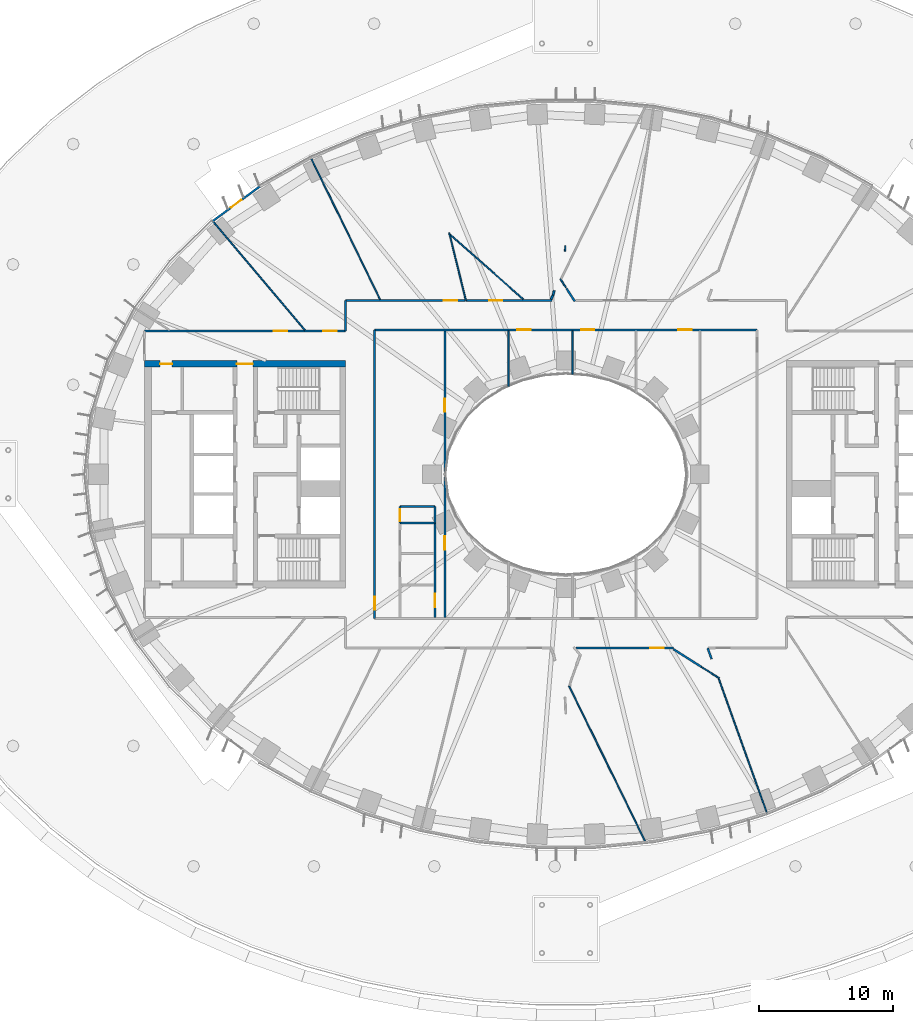
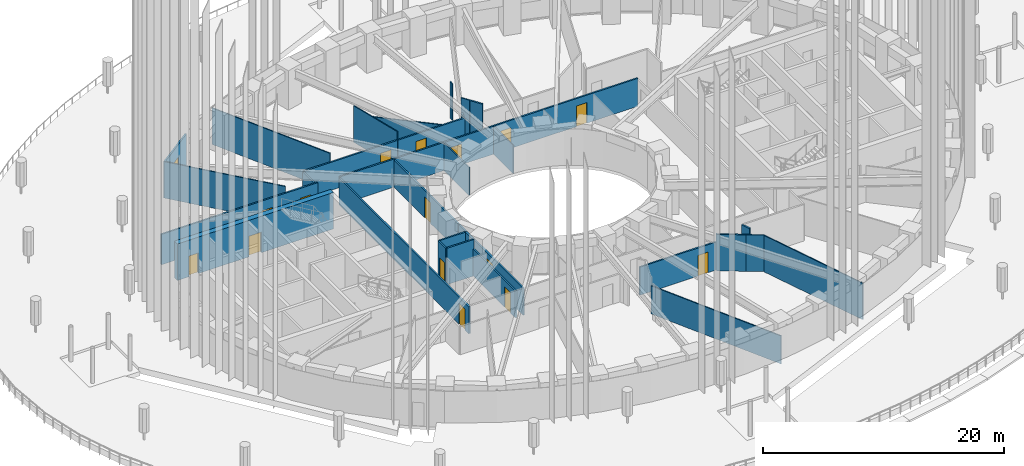
# One storey, part 13 of 30: 32 walls, 16 doors, 16 openings.
"""IFC4 building model written with IfcOpenShell, lengths in metres."""

from ifc_helpers import new_model, si_unit, direction, frame, frame_2d, origin, place, context, subcontext, project, spatial, rectangle, extrude, material, layer, layer_set, type_object, element, fill, save


model = new_model("IFC4")

# Units and contexts
model_context = context("Model", 3, precision=1e-05, world=origin(), true_north=direction((0.0, 1.0)))
body_context = subcontext(model_context, "Body", "Model", "MODEL_VIEW")
ifc_project = project(units=[si_unit("LENGTHUNIT", "METRE"), si_unit("AREAUNIT", "SQUARE_METRE"), si_unit("VOLUMEUNIT", "CUBIC_METRE"), si_unit("PLANEANGLEUNIT", "RADIAN"), si_unit("MASSUNIT", "GRAM", prefix="KILO")], contexts=[model_context])

# Site, building, storey
site_placement = place(None, origin())
site = spatial("IfcSite", under=ifc_project, at=site_placement, CompositionType="ELEMENT")
building_placement = place(site_placement, origin())
building = spatial("IfcBuilding", under=site, at=building_placement, Name="Noorbagh Ring Tower", CompositionType="ELEMENT")
storey_placement = place(building_placement, frame((0.0, 0.0, 30.5)))
storey = spatial("IfcBuildingStorey", under=building, at=storey_placement, Name="L05", CompositionType="ELEMENT", Elevation=30.5)

# Wall, opening, door
ifc_material_1 = material(Name="Gypsum board on steel studs", Category="steel")
ifc_layer_1 = layer(ifc_material_1, 0.14990234375)
ifc_layer_set_1 = layer_set([ifc_layer_1], Name="Gypsum board on steel studs")
wall_type_1 = type_object("IfcWallType", Name="COMPARTMENT PARTITION 150 EI 60", PredefinedType="PARTITIONING", material=ifc_layer_set_1)
wall_1_placement = place(storey_placement, frame((-12.39990234375, -3.659912109375, 0.0), z_axis=(0.0, 0.0, 1.0), x_axis=(0.0, 1.0, 0.0)))
wall_1 = element("IfcWall", 1, at=wall_1_placement, inside=storey, type_object=wall_type_1, Name="L05/wall/P22", PredefinedType="PARTITIONING", context=body_context, shape_type="SweptSolid", body=[
    extrude(rectangle(XDim=1.260009765625, YDim=0.14990234375, at=frame_2d((0.6298828125, 0.0))), origin(), (0.0, 0.0, 1.0), 3.699951171875),
])
opening_1_placement = place(wall_1_placement, frame((0.14990234375, 0.0, 0.0)))
opening_1 = element("IfcOpeningElement", 2, at=opening_1_placement, cuts=wall_1, Name="Opening D4", PredefinedType="OPENING", context=body_context, shape_type="SweptSolid", body=[
    extrude(rectangle(XDim=0.89990234375, YDim=2.10009765625, at=frame_2d((0.449951171875, 1.050048828125))), frame((0.0, 0.0849609375, 0.0), z_axis=(0.0, -1.0, 0.0), x_axis=(1.0, 0.0, 0.0)), (0.0, 0.0, 1.0), 0.169921875),
])
ifc_material_2 = material(Name="Timber, painted", Category="wood")
door_type_1 = type_object("IfcDoorType", Name="DOOR 900 X 2100 FD60", OperationType="SINGLE_SWING_LEFT", PredefinedType="DOOR", material=ifc_material_2)
door_1_placement = place(opening_1_placement, origin())
door_1 = element("IfcDoor", 3, at=door_1_placement, inside=storey, type_object=door_type_1, Name="L05-D05", OperationType="SINGLE_SWING_LEFT", OverallHeight=2.10009765625, OverallWidth=0.89990234375, PredefinedType="DOOR", context=body_context, shape_type="SweptSolid", body=[
    extrude(rectangle(XDim=0.89990234375, YDim=2.10009765625, at=frame_2d((0.449951171875, 1.050048828125))), frame((0.0, 0.02490234375, 0.0), z_axis=(0.0, -1.0, 0.0), x_axis=(1.0, 0.0, 0.0)), (0.0, 0.0, 1.0), 0.050048828125),
])
fill(opening_1, door_1)

# Walls
wall_2_placement = place(storey_placement, frame((-12.39990234375, -3.659912109375, 0.0), z_axis=(0.0, 0.0, 1.0), x_axis=(1.0, 0.0, 0.0)))
element("IfcWall", 4, at=wall_2_placement, inside=storey, type_object=wall_type_1, Name="L05/wall/P23", PredefinedType="PARTITIONING", context=body_context, shape_type="SweptSolid", body=[
    extrude(rectangle(XDim=2.599853515625, YDim=0.14990234375, at=frame_2d((1.2998046875, 0.0))), origin(), (0.0, 0.0, 1.0), 3.699951171875),
])
wall_3_placement = place(storey_placement, frame((-12.39990234375, -2.39990234375, 0.0), z_axis=(0.0, 0.0, 1.0), x_axis=(1.0, 0.0, 0.0)))
element("IfcWall", 5, at=wall_3_placement, inside=storey, type_object=wall_type_1, Name="L05/wall/P24", PredefinedType="PARTITIONING", context=body_context, shape_type="SweptSolid", body=[
    extrude(rectangle(XDim=2.595947265625, YDim=0.14990234375, at=frame_2d((1.2978515625, 0.0))), origin(), (0.0, 0.0, 1.0), 3.699951171875),
])
wall_4_placement = place(storey_placement, frame((-9.800048828125, -3.659912109375, 0.0), z_axis=(0.0, 0.0, 1.0), x_axis=(0.0, 1.0, 0.0)))
element("IfcWall", 6, at=wall_4_placement, inside=storey, type_object=wall_type_1, Name="L05/wall/P27", PredefinedType="PARTITIONING", context=body_context, shape_type="SweptSolid", body=[
    extrude(rectangle(XDim=1.255859375, YDim=0.14990234375, at=frame_2d((0.6279296875, 0.0))), origin(), (0.0, 0.0, 1.0), 3.699951171875),
])

# Wall, openings, doors
ifc_material_3 = material(Name="Concrete C70/85", Category="concrete")
ifc_layer_2 = layer(ifc_material_3, 0.5)
ifc_layer_set_2 = layer_set([ifc_layer_2], Name="Concrete C70/85")
wall_type_2 = type_object("IfcWallType", Name="CORE-WALL-500-C70-85-EI240", PredefinedType="SHEAR", material=ifc_layer_set_2)
wall_5_placement = place(storey_placement, frame((-16.5, 8.25, 0.0), z_axis=(0.0, 0.0, 1.0), x_axis=(-1.0, 0.0, 0.0)))
wall_5 = element("IfcWall", 7, at=wall_5_placement, inside=storey, type_object=wall_type_2, Name="Core wall W", PredefinedType="SHEAR", context=body_context, shape_type="SweptSolid", body=[
    extrude(rectangle(XDim=15.0, YDim=0.5, at=frame_2d((7.5, 0.0))), origin(), (0.0, 0.0, 1.0), 3.699951171875),
])
opening_2_placement = place(wall_5_placement, frame((6.89990234375, 0.0, 0.0)))
opening_2 = element("IfcOpeningElement", 8, at=opening_2_placement, cuts=wall_5, Name="Opening L05-CW09", PredefinedType="OPENING", context=body_context, shape_type="SweptSolid", body=[
    extrude(rectangle(XDim=1.199951171875, YDim=2.10009765625, at=frame_2d((0.60009765625, 1.050048828125))), frame((0.0, 0.260009765625, 0.0), z_axis=(0.0, -1.0, 0.0), x_axis=(1.0, 0.0, 0.0)), (0.0, 0.0, 1.0), 0.52001953125),
])
opening_3_placement = place(wall_5_placement, frame((12.949951171875, 0.0, 0.0)))
opening_3 = element("IfcOpeningElement", 9, at=opening_3_placement, cuts=wall_5, Name="Opening L05-CW13", PredefinedType="OPENING", context=body_context, shape_type="SweptSolid", body=[
    extrude(rectangle(XDim=0.89990234375, YDim=2.10009765625, at=frame_2d((0.449951171875, 1.050048828125))), frame((0.0, 0.260009765625, 0.0), z_axis=(0.0, -1.0, 0.0), x_axis=(1.0, 0.0, 0.0)), (0.0, 0.0, 1.0), 0.52001953125),
])
ifc_material_4 = material(Name="Steel door leaf", Category="steel")
door_type_2 = type_object("IfcDoorType", Name="CORE-DOOR-DROOM", OperationType="SINGLE_SWING_LEFT", PredefinedType="DOOR", material=ifc_material_4)
door_2_placement = place(opening_3_placement, origin())
door_2 = element("IfcDoor", 10, at=door_2_placement, inside=storey, type_object=door_type_2, Name="Core room door L05-CW13", OperationType="SINGLE_SWING_RIGHT", OverallHeight=2.10009765625, OverallWidth=0.89990234375, PredefinedType="DOOR", context=body_context, shape_type="SweptSolid", body=[
    extrude(rectangle(XDim=0.89990234375, YDim=2.10009765625, at=frame_2d((0.449951171875, 1.050048828125))), frame((0.0, 0.02490234375, 0.0), z_axis=(0.0, -1.0, 0.0), x_axis=(1.0, 0.0, 0.0)), (0.0, 0.0, 1.0), 0.050048828125),
])
fill(opening_3, door_2)
ifc_material_5 = material(Name="Steel door leaf", Category="steel")
door_type_3 = type_object("IfcDoorType", Name="CORE-DOOR-PORT", OperationType="DOUBLE_DOOR_DOUBLE_SWING", PredefinedType="DOOR", material=ifc_material_5)
door_3_placement = place(opening_2_placement, origin())
door_3 = element("IfcDoor", 11, at=door_3_placement, inside=storey, type_object=door_type_3, Name="Core entrance door L05-CW09", OperationType="DOUBLE_DOOR_DOUBLE_SWING", OverallHeight=2.10009765625, OverallWidth=1.199951171875, PredefinedType="DOOR", context=body_context, shape_type="SweptSolid", body=[
    extrude(rectangle(XDim=1.199951171875, YDim=2.10009765625, at=frame_2d((0.60009765625, 1.050048828125))), frame((0.0, 0.02490234375, 0.0), z_axis=(0.0, -1.0, 0.0), x_axis=(1.0, 0.0, 0.0)), (0.0, 0.0, 1.0), 0.050048828125),
])
fill(opening_2, door_3)

ifc_material_6 = material(Name="Gypsum board on steel studs", Category="steel")
ifc_layer_3 = layer(ifc_material_6, 0.14990234375)
ifc_layer_set_3 = layer_set([ifc_layer_3], Name="Gypsum board on steel studs")
wall_type_3 = type_object("IfcWallType", Name="CORRIDOR PARTITION 150 EI 30", PredefinedType="PARTITIONING", material=ifc_layer_set_3)
wall_6_placement = place(storey_placement, frame((-31.5, 10.699951171875, 0.0), z_axis=(0.0, 0.0, 1.0), x_axis=(1.0, 0.0, 0.0)))
wall_6 = element("IfcWall", 12, at=wall_6_placement, inside=storey, type_object=wall_type_3, Name="L05/wall/P07", PredefinedType="PARTITIONING", context=body_context, shape_type="SweptSolid", body=[
    extrude(rectangle(XDim=15.0, YDim=0.14990234375, at=frame_2d((7.5, 0.0))), origin(), (0.0, 0.0, 1.0), 3.10009765625),
])
opening_4_placement = place(wall_6_placement, frame((9.655029296875, 0.0, 0.0)))
opening_4 = element("IfcOpeningElement", 13, at=opening_4_placement, cuts=wall_6, Name="Opening D1", PredefinedType="OPENING", context=body_context, shape_type="SweptSolid", body=[
    extrude(rectangle(XDim=1.0, YDim=2.10009765625, at=frame_2d((0.5, 1.050048828125))), frame((0.0, 0.0849609375, 0.0), z_axis=(0.0, -1.0, 0.0), x_axis=(1.0, 0.0, 0.0)), (0.0, 0.0, 1.0), 0.169921875),
])
opening_5_placement = place(wall_6_placement, frame((13.35009765625, 0.0, 0.0)))
opening_5 = element("IfcOpeningElement", 14, at=opening_5_placement, cuts=wall_6, Name="Opening D1", PredefinedType="OPENING", context=body_context, shape_type="SweptSolid", body=[
    extrude(rectangle(XDim=1.0, YDim=2.10009765625, at=frame_2d((0.5, 1.050048828125))), frame((0.0, 0.0849609375, 0.0), z_axis=(0.0, -1.0, 0.0), x_axis=(1.0, 0.0, 0.0)), (0.0, 0.0, 1.0), 0.169921875),
])
ifc_material_7 = material(Name="Timber, painted", Category="wood")
door_type_4 = type_object("IfcDoorType", Name="DOOR 1000 X 2100 FD30", OperationType="SINGLE_SWING_LEFT", PredefinedType="DOOR", material=ifc_material_7)
door_4_placement = place(opening_4_placement, origin())
door_4 = element("IfcDoor", 15, at=door_4_placement, inside=storey, type_object=door_type_4, Name="L05-D09", OperationType="SINGLE_SWING_LEFT", OverallHeight=2.10009765625, OverallWidth=1.0, PredefinedType="DOOR", context=body_context, shape_type="SweptSolid", body=[
    extrude(rectangle(XDim=1.0, YDim=2.10009765625, at=frame_2d((0.5, 1.050048828125))), frame((0.0, 0.02490234375, 0.0), z_axis=(0.0, -1.0, 0.0), x_axis=(1.0, 0.0, 0.0)), (0.0, 0.0, 1.0), 0.050048828125),
])
fill(opening_4, door_4)
door_5_placement = place(opening_5_placement, origin())
door_5 = element("IfcDoor", 16, at=door_5_placement, inside=storey, type_object=door_type_4, Name="L05-D11", OperationType="SINGLE_SWING_LEFT", OverallHeight=2.10009765625, OverallWidth=1.0, PredefinedType="DOOR", context=body_context, shape_type="SweptSolid", body=[
    extrude(rectangle(XDim=1.0, YDim=2.10009765625, at=frame_2d((0.5, 1.050048828125))), frame((0.0, 0.02490234375, 0.0), z_axis=(0.0, -1.0, 0.0), x_axis=(1.0, 0.0, 0.0)), (0.0, 0.0, 1.0), 0.050048828125),
])
fill(opening_5, door_5)

# Wall
wall_7_placement = place(storey_placement, frame((-16.5, 10.699951171875, 0.0), z_axis=(0.0, 0.0, 1.0), x_axis=(0.0, 1.0, 0.0)))
element("IfcWall", 17, at=wall_7_placement, inside=storey, type_object=wall_type_3, Name="L05/wall/P14", PredefinedType="PARTITIONING", context=body_context, shape_type="SweptSolid", body=[
    extrude(rectangle(XDim=2.300048828125, YDim=0.14990234375, at=frame_2d((1.14990234375, 0.0))), origin(), (0.0, 0.0, 1.0), 2.75),
])

# Wall, opening, door
wall_8_placement = place(storey_placement, frame((-16.5, 13.0, 0.0), z_axis=(0.0, 0.0, 1.0), x_axis=(1.0, 0.0, 0.0)))
wall_8 = element("IfcWall", 18, at=wall_8_placement, inside=storey, type_object=wall_type_3, Name="L05/wall/P15", PredefinedType="PARTITIONING", context=body_context, shape_type="SweptSolid", body=[
    extrude(rectangle(XDim=9.0009765625, YDim=0.14990234375, at=frame_2d((4.50048828125, 0.0))), origin(), (0.0, 0.0, 1.0), 2.85009765625),
])
opening_6_placement = place(wall_8_placement, frame((7.366943359375, 0.0, 0.0)))
opening_6 = element("IfcOpeningElement", 19, at=opening_6_placement, cuts=wall_8, Name="Opening D1", PredefinedType="OPENING", context=body_context, shape_type="SweptSolid", body=[
    extrude(rectangle(XDim=1.0, YDim=2.10009765625, at=frame_2d((0.5, 1.050048828125))), frame((0.0, 0.0849609375, 0.0), z_axis=(0.0, -1.0, 0.0), x_axis=(1.0, 0.0, 0.0)), (0.0, 0.0, 1.0), 0.169921875),
])
door_6_placement = place(opening_6_placement, origin())
door_6 = element("IfcDoor", 20, at=door_6_placement, inside=storey, type_object=door_type_4, Name="L05-D13", OperationType="SINGLE_SWING_LEFT", OverallHeight=2.10009765625, OverallWidth=1.0, PredefinedType="DOOR", context=body_context, shape_type="SweptSolid", body=[
    extrude(rectangle(XDim=1.0, YDim=2.10009765625, at=frame_2d((0.5, 1.050048828125))), frame((0.0, 0.02490234375, 0.0), z_axis=(0.0, -1.0, 0.0), x_axis=(1.0, 0.0, 0.0)), (0.0, 0.0, 1.0), 0.050048828125),
])
fill(opening_6, door_6)

wall_9_placement = place(storey_placement, frame((-14.300048828125, -10.800048828125, 0.0), z_axis=(0.0, 0.0, 1.0), x_axis=(0.0, 1.0, 0.0)))
wall_9 = element("IfcWall", 21, at=wall_9_placement, inside=storey, type_object=wall_type_3, Name="L05/wall/P16", PredefinedType="PARTITIONING", context=body_context, shape_type="SweptSolid", body=[
    extrude(rectangle(XDim=21.60009765625, YDim=0.14990234375, at=frame_2d((10.800048828125, 0.0))), origin(), (0.0, 0.0, 1.0), 2.75),
])
opening_7_placement = place(wall_9_placement, frame((0.64990234375, 0.0, 0.0)))
opening_7 = element("IfcOpeningElement", 22, at=opening_7_placement, cuts=wall_9, Name="Opening D1", PredefinedType="OPENING", context=body_context, shape_type="SweptSolid", body=[
    extrude(rectangle(XDim=1.0, YDim=2.10009765625, at=frame_2d((0.5, 1.050048828125))), frame((0.0, 0.0849609375, 0.0), z_axis=(0.0, -1.0, 0.0), x_axis=(1.0, 0.0, 0.0)), (0.0, 0.0, 1.0), 0.169921875),
])
door_7_placement = place(opening_7_placement, origin())
door_7 = element("IfcDoor", 23, at=door_7_placement, inside=storey, type_object=door_type_4, Name="L05-D01", OperationType="SINGLE_SWING_LEFT", OverallHeight=2.10009765625, OverallWidth=1.0, PredefinedType="DOOR", context=body_context, shape_type="SweptSolid", body=[
    extrude(rectangle(XDim=1.0, YDim=2.10009765625, at=frame_2d((0.5, 1.050048828125))), frame((0.0, 0.02490234375, 0.0), z_axis=(0.0, -1.0, 0.0), x_axis=(1.0, 0.0, 0.0)), (0.0, 0.0, 1.0), 0.050048828125),
])
fill(opening_7, door_7)

# Wall, openings, doors
wall_10_placement = place(storey_placement, frame((-14.300048828125, 10.800048828125, 0.0), z_axis=(0.0, 0.0, 1.0), x_axis=(1.0, 0.0, 0.0)))
wall_10 = element("IfcWall", 24, at=wall_10_placement, inside=storey, type_object=wall_type_3, Name="L05/wall/P18", PredefinedType="PARTITIONING", context=body_context, shape_type="SweptSolid", body=[
    extrude(rectangle(XDim=28.60009765625, YDim=0.14990234375, at=frame_2d((14.300048828125, 0.0))), origin(), (0.0, 0.0, 1.0), 2.85009765625),
])
opening_8_placement = place(wall_10_placement, frame((10.659912109375, 0.0, 0.0)))
opening_8 = element("IfcOpeningElement", 25, at=opening_8_placement, cuts=wall_10, Name="Opening D1", PredefinedType="OPENING", context=body_context, shape_type="SweptSolid", body=[
    extrude(rectangle(XDim=1.0, YDim=2.10009765625, at=frame_2d((0.5, 1.050048828125))), frame((0.0, 0.0849609375, 0.0), z_axis=(0.0, -1.0, 0.0), x_axis=(1.0, 0.0, 0.0)), (0.0, 0.0, 1.0), 0.169921875),
])
opening_9_placement = place(wall_10_placement, frame((15.427001953125, 0.0, 0.0)))
opening_9 = element("IfcOpeningElement", 26, at=opening_9_placement, cuts=wall_10, Name="Opening D1", PredefinedType="OPENING", context=body_context, shape_type="SweptSolid", body=[
    extrude(rectangle(XDim=1.0, YDim=2.10009765625, at=frame_2d((0.5, 1.050048828125))), frame((0.0, 0.0849609375, 0.0), z_axis=(0.0, -1.0, 0.0), x_axis=(1.0, 0.0, 0.0)), (0.0, 0.0, 1.0), 0.169921875),
])
opening_10_placement = place(wall_10_placement, frame((22.693115234375, 0.0, 0.0)))
opening_10 = element("IfcOpeningElement", 27, at=opening_10_placement, cuts=wall_10, Name="Opening D1", PredefinedType="OPENING", context=body_context, shape_type="SweptSolid", body=[
    extrude(rectangle(XDim=1.0, YDim=2.10009765625, at=frame_2d((0.5, 1.050048828125))), frame((0.0, 0.0849609375, 0.0), z_axis=(0.0, -1.0, 0.0), x_axis=(1.0, 0.0, 0.0)), (0.0, 0.0, 1.0), 0.169921875),
])
door_8_placement = place(opening_8_placement, origin())
door_8 = element("IfcDoor", 28, at=door_8_placement, inside=storey, type_object=door_type_4, Name="L05-D27", OperationType="SINGLE_SWING_LEFT", OverallHeight=2.10009765625, OverallWidth=1.0, PredefinedType="DOOR", context=body_context, shape_type="SweptSolid", body=[
    extrude(rectangle(XDim=1.0, YDim=2.10009765625, at=frame_2d((0.5, 1.050048828125))), frame((0.0, 0.02490234375, 0.0), z_axis=(0.0, -1.0, 0.0), x_axis=(1.0, 0.0, 0.0)), (0.0, 0.0, 1.0), 0.050048828125),
])
fill(opening_8, door_8)
door_9_placement = place(opening_9_placement, origin())
door_9 = element("IfcDoor", 29, at=door_9_placement, inside=storey, type_object=door_type_4, Name="L05-D29", OperationType="SINGLE_SWING_LEFT", OverallHeight=2.10009765625, OverallWidth=1.0, PredefinedType="DOOR", context=body_context, shape_type="SweptSolid", body=[
    extrude(rectangle(XDim=1.0, YDim=2.10009765625, at=frame_2d((0.5, 1.050048828125))), frame((0.0, 0.02490234375, 0.0), z_axis=(0.0, -1.0, 0.0), x_axis=(1.0, 0.0, 0.0)), (0.0, 0.0, 1.0), 0.050048828125),
])
fill(opening_9, door_9)
door_10_placement = place(opening_10_placement, origin())
door_10 = element("IfcDoor", 30, at=door_10_placement, inside=storey, type_object=door_type_4, Name="L05-D30", OperationType="SINGLE_SWING_RIGHT", OverallHeight=2.10009765625, OverallWidth=1.0, PredefinedType="DOOR", context=body_context, shape_type="SweptSolid", body=[
    extrude(rectangle(XDim=1.0, YDim=2.10009765625, at=frame_2d((0.5, 1.050048828125))), frame((0.0, 0.02490234375, 0.0), z_axis=(0.0, -1.0, 0.0), x_axis=(1.0, 0.0, 0.0)), (0.0, 0.0, 1.0), 0.050048828125),
])
fill(opening_10, door_10)

# Wall, opening, door
wall_11_placement = place(storey_placement, frame((-9.800048828125, -10.72509765625, 0.0), z_axis=(0.0, 0.0, 1.0), x_axis=(0.0, 1.0, 0.0)))
wall_11 = element("IfcWall", 31, at=wall_11_placement, inside=storey, type_object=wall_type_3, Name="L05/wall/P26", PredefinedType="PARTITIONING", context=body_context, shape_type="SweptSolid", body=[
    extrude(rectangle(XDim=7.065185546875, YDim=0.14990234375, at=frame_2d((3.53271484375, 0.0))), origin(), (0.0, 0.0, 1.0), 2.75),
])
opening_11_placement = place(wall_11_placement, frame((0.794921875, 0.0, 0.0)))
opening_11 = element("IfcOpeningElement", 32, at=opening_11_placement, cuts=wall_11, Name="Opening D3", PredefinedType="OPENING", context=body_context, shape_type="SweptSolid", body=[
    extrude(rectangle(XDim=1.0, YDim=2.10009765625, at=frame_2d((0.5, 1.050048828125))), frame((0.0, 0.0849609375, 0.0), z_axis=(0.0, -1.0, 0.0), x_axis=(1.0, 0.0, 0.0)), (0.0, 0.0, 1.0), 0.169921875),
])
ifc_material_8 = material(Name="Timber, painted", Category="wood")
door_type_5 = type_object("IfcDoorType", Name="DOOR 1000 X 2100 WC", OperationType="SINGLE_SWING_LEFT", PredefinedType="DOOR", material=ifc_material_8)
door_11_placement = place(opening_11_placement, origin())
door_11 = element("IfcDoor", 33, at=door_11_placement, inside=storey, type_object=door_type_5, Name="L05-D02", OperationType="SINGLE_SWING_RIGHT", OverallHeight=2.10009765625, OverallWidth=1.0, PredefinedType="DOOR", context=body_context, shape_type="SweptSolid", body=[
    extrude(rectangle(XDim=1.0, YDim=2.10009765625, at=frame_2d((0.5, 1.050048828125))), frame((0.0, 0.02490234375, 0.0), z_axis=(0.0, -1.0, 0.0), x_axis=(1.0, 0.0, 0.0)), (0.0, 0.0, 1.0), 0.050048828125),
])
fill(opening_11, door_11)

wall_12_placement = place(storey_placement, frame((-9.056884765625, -10.72509765625, 0.0), z_axis=(0.0, 0.0, 1.0), x_axis=(0.0, 1.0, 0.0)))
wall_12 = element("IfcWall", 34, at=wall_12_placement, inside=storey, type_object=wall_type_3, Name="L05/wall/P28", PredefinedType="PARTITIONING", context=body_context, shape_type="SweptSolid", body=[
    extrude(rectangle(XDim=10.68017578125, YDim=0.14990234375, at=frame_2d((5.340087890625, 0.0))), origin(), (0.0, 0.0, 1.0), 2.75),
])
opening_12_placement = place(wall_12_placement, frame((5.074951171875, 0.0, 0.0)))
opening_12 = element("IfcOpeningElement", 35, at=opening_12_placement, cuts=wall_12, Name="Opening D1", PredefinedType="OPENING", context=body_context, shape_type="SweptSolid", body=[
    extrude(rectangle(XDim=1.0, YDim=2.10009765625, at=frame_2d((0.5, 1.050048828125))), frame((0.0, 0.0849609375, 0.0), z_axis=(0.0, -1.0, 0.0), x_axis=(1.0, 0.0, 0.0)), (0.0, 0.0, 1.0), 0.169921875),
])
door_12_placement = place(opening_12_placement, origin())
door_12 = element("IfcDoor", 36, at=door_12_placement, inside=storey, type_object=door_type_4, Name="L05-D24", OperationType="SINGLE_SWING_RIGHT", OverallHeight=2.10009765625, OverallWidth=1.0, PredefinedType="DOOR", context=body_context, shape_type="SweptSolid", body=[
    extrude(rectangle(XDim=1.0, YDim=2.10009765625, at=frame_2d((0.5, 1.050048828125))), frame((0.0, 0.02490234375, 0.0), z_axis=(0.0, -1.0, 0.0), x_axis=(1.0, 0.0, 0.0)), (0.0, 0.0, 1.0), 0.050048828125),
])
fill(opening_12, door_12)

wall_13_placement = place(storey_placement, frame((-9.056884765625, 0.044921875, 0.0), z_axis=(0.0, 0.0, 1.0), x_axis=(0.0, 1.0, 0.0)))
wall_13 = element("IfcWall", 37, at=wall_13_placement, inside=storey, type_object=wall_type_3, Name="L05/wall/P29", PredefinedType="PARTITIONING", context=body_context, shape_type="SweptSolid", body=[
    extrude(rectangle(XDim=10.68017578125, YDim=0.14990234375, at=frame_2d((5.340087890625, 0.0))), origin(), (0.0, 0.0, 1.0), 2.75),
])
opening_13_placement = place(wall_13_placement, frame((4.610107421875, 0.0, 0.0)))
opening_13 = element("IfcOpeningElement", 38, at=opening_13_placement, cuts=wall_13, Name="Opening D1", PredefinedType="OPENING", context=body_context, shape_type="SweptSolid", body=[
    extrude(rectangle(XDim=1.0, YDim=2.10009765625, at=frame_2d((0.5, 1.050048828125))), frame((0.0, 0.0849609375, 0.0), z_axis=(0.0, -1.0, 0.0), x_axis=(1.0, 0.0, 0.0)), (0.0, 0.0, 1.0), 0.169921875),
])
door_13_placement = place(opening_13_placement, origin())
door_13 = element("IfcDoor", 39, at=door_13_placement, inside=storey, type_object=door_type_4, Name="L05-D25", OperationType="SINGLE_SWING_LEFT", OverallHeight=2.10009765625, OverallWidth=1.0, PredefinedType="DOOR", context=body_context, shape_type="SweptSolid", body=[
    extrude(rectangle(XDim=1.0, YDim=2.10009765625, at=frame_2d((0.5, 1.050048828125))), frame((0.0, 0.02490234375, 0.0), z_axis=(0.0, -1.0, 0.0), x_axis=(1.0, 0.0, 0.0)), (0.0, 0.0, 1.0), 0.050048828125),
])
fill(opening_13, door_13)

wall_14_placement = place(storey_placement, frame((-7.48291015625, 13.0, 0.0), z_axis=(0.0, 0.0, 1.0), x_axis=(1.0, 0.0, 0.0)))
wall_14 = element("IfcWall", 40, at=wall_14_placement, inside=storey, type_object=wall_type_3, Name="L05/wall/P33", PredefinedType="PARTITIONING", context=body_context, shape_type="SweptSolid", body=[
    extrude(rectangle(XDim=6.421875, YDim=0.14990234375, at=frame_2d((3.2109375, 0.0))), origin(), (0.0, 0.0, 1.0), 2.85009765625),
])
opening_14_placement = place(wall_14_placement, frame((1.73388671875, 0.0, 0.0)))
opening_14 = element("IfcOpeningElement", 41, at=opening_14_placement, cuts=wall_14, Name="Opening D1", PredefinedType="OPENING", context=body_context, shape_type="SweptSolid", body=[
    extrude(rectangle(XDim=1.0, YDim=2.10009765625, at=frame_2d((0.5, 1.050048828125))), frame((0.0, 0.0849609375, 0.0), z_axis=(0.0, -1.0, 0.0), x_axis=(1.0, 0.0, 0.0)), (0.0, 0.0, 1.0), 0.169921875),
])
door_14_placement = place(opening_14_placement, origin())
door_14 = element("IfcDoor", 42, at=door_14_placement, inside=storey, type_object=door_type_4, Name="L05-D15", OperationType="SINGLE_SWING_LEFT", OverallHeight=2.10009765625, OverallWidth=1.0, PredefinedType="DOOR", context=body_context, shape_type="SweptSolid", body=[
    extrude(rectangle(XDim=1.0, YDim=2.10009765625, at=frame_2d((0.5, 1.050048828125))), frame((0.0, 0.02490234375, 0.0), z_axis=(0.0, -1.0, 0.0), x_axis=(1.0, 0.0, 0.0)), (0.0, 0.0, 1.0), 0.050048828125),
])
fill(opening_14, door_14)

# Walls
wall_15_placement = place(storey_placement, frame((-1.111083984375, 13.0791015625, 0.0), z_axis=(0.0, 0.0, 1.0), x_axis=(0.440240923942, 0.897879685084, 0.0)))
element("IfcWall", 43, at=wall_15_placement, inside=storey, type_object=wall_type_3, Name="L05/wall/P37", PredefinedType="PARTITIONING", context=body_context, shape_type="SweptSolid", body=[
    extrude(rectangle(XDim=0.32275390625, YDim=0.14990234375, at=frame_2d((0.161376953125, 0.0))), origin(), (0.0, 0.0, 1.0), 2.85009765625),
])
wall_16_placement = place(storey_placement, frame((-0.965087890625, 13.385986328125, 0.0), z_axis=(0.0, 0.0, 1.0), x_axis=(0.239099704585, 0.970995021237, 0.0)))
element("IfcWall", 44, at=wall_16_placement, inside=storey, type_object=wall_type_3, Name="L05/wall/P39", PredefinedType="PARTITIONING", context=body_context, shape_type="SweptSolid", body=[
    extrude(rectangle(XDim=0.351318359375, YDim=0.14990234375, at=frame_2d((0.17578125, 0.0))), origin(), (0.0, 0.0, 1.0), 2.85009765625),
])
wall_17_placement = place(storey_placement, frame((0.031982421875, 13.89794921875, 0.0), z_axis=(0.0, 0.0, 1.0), x_axis=(0.542280536951, -0.840197488239, 0.0)))
element("IfcWall", 45, at=wall_17_placement, inside=storey, type_object=wall_type_3, Name="L05/wall/P45", PredefinedType="PARTITIONING", context=body_context, shape_type="SweptSolid", body=[
    extrude(rectangle(XDim=1.157958984375, YDim=0.14990234375, at=frame_2d((0.5791015625, 0.0))), origin(), (0.0, 0.0, 1.0), 3.699951171875),
])

# Wall, opening, door
wall_18_placement = place(storey_placement, frame((0.741943359375, -13.0, 0.0), z_axis=(0.0, 0.0, 1.0), x_axis=(1.0, 0.0, 0.0)))
wall_18 = element("IfcWall", 46, at=wall_18_placement, inside=storey, type_object=wall_type_3, Name="L05/wall/P53", PredefinedType="PARTITIONING", context=body_context, shape_type="SweptSolid", body=[
    extrude(rectangle(XDim=7.30517578125, YDim=0.14990234375, at=frame_2d((3.652587890625, 0.0))), origin(), (0.0, 0.0, 1.0), 2.85009765625),
])
opening_15_placement = place(wall_18_placement, frame((5.551025390625, 0.0, 0.0)))
opening_15 = element("IfcOpeningElement", 47, at=opening_15_placement, cuts=wall_18, Name="Opening D1", PredefinedType="OPENING", context=body_context, shape_type="SweptSolid", body=[
    extrude(rectangle(XDim=1.0, YDim=2.10009765625, at=frame_2d((0.5, 1.050048828125))), frame((0.0, 0.0849609375, 0.0), z_axis=(0.0, -1.0, 0.0), x_axis=(1.0, 0.0, 0.0)), (0.0, 0.0, 1.0), 0.169921875),
])
door_15_placement = place(opening_15_placement, origin())
door_15 = element("IfcDoor", 48, at=door_15_placement, inside=storey, type_object=door_type_4, Name="L05-D16", OperationType="SINGLE_SWING_RIGHT", OverallHeight=2.10009765625, OverallWidth=1.0, PredefinedType="DOOR", context=body_context, shape_type="SweptSolid", body=[
    extrude(rectangle(XDim=1.0, YDim=2.10009765625, at=frame_2d((0.5, 1.050048828125))), frame((0.0, 0.02490234375, 0.0), z_axis=(0.0, -1.0, 0.0), x_axis=(1.0, 0.0, 0.0)), (0.0, 0.0, 1.0), 0.050048828125),
])
fill(opening_15, door_15)

# Walls
wall_19_placement = place(storey_placement, frame((8.028076171875, -13.076904296875, 0.0), z_axis=(0.0, 0.0, 1.0), x_axis=(0.844718865656, -0.53521027457, 0.0)))
element("IfcWall", 49, at=wall_19_placement, inside=storey, type_object=wall_type_3, Name="L05/wall/P59", PredefinedType="PARTITIONING", context=body_context, shape_type="SweptSolid", body=[
    extrude(rectangle(XDim=2.49658203125, YDim=0.14990234375, at=frame_2d((1.248291015625, 0.0))), origin(), (0.0, 0.0, 1.0), 3.699951171875),
])
wall_20_placement = place(storey_placement, frame((10.594970703125, -13.0, 0.0), z_axis=(0.0, 0.0, 1.0), x_axis=(0.338659506624, -0.940908995904, 0.0)))
element("IfcWall", 50, at=wall_20_placement, inside=storey, type_object=wall_type_3, Name="L05/wall/P64", PredefinedType="PARTITIONING", context=body_context, shape_type="SweptSolid", body=[
    extrude(rectangle(XDim=0.864990234375, YDim=0.14990234375, at=frame_2d((0.4326171875, 0.0))), origin(), (0.0, 0.0, 1.0), 3.699951171875),
])

# Wall, opening, door
ifc_material_9 = material(Name="Insulated aluminium clad panel", Category="aluminium")
ifc_layer_4 = layer(ifc_material_9, 0.14990234375)
ifc_layer_set_4 = layer_set([ifc_layer_4], Name="Insulated aluminium clad panel")
wall_type_4 = type_object("IfcWallType", Name="ENV-WALL-DOOR", PredefinedType="STANDARD", material=ifc_layer_set_4)
wall_21_placement = place(storey_placement, frame((-22.8720703125, 21.535400390625, 0.0), z_axis=(0.0, 0.0, 1.0), x_axis=(-0.805154287598, -0.593065403782, 0.0)))
wall_21 = element("IfcWall", 51, at=wall_21_placement, inside=storey, type_object=wall_type_4, Name="Terrace door wall chord 18", PredefinedType="STANDARD", context=body_context, shape_type="SweptSolid", body=[
    extrude(rectangle(XDim=4.4248046875, YDim=0.14990234375, at=frame_2d((2.21240234375, 0.0))), origin(), (0.0, 0.0, 1.0), 3.699951171875),
])
opening_16_placement = place(wall_21_placement, frame((1.71240234375, 0.0, 0.0)))
opening_16 = element("IfcOpeningElement", 52, at=opening_16_placement, cuts=wall_21, Name="Opening D-BL", PredefinedType="OPENING", context=body_context, shape_type="SweptSolid", body=[
    extrude(rectangle(XDim=1.0, YDim=2.39990234375, at=frame_2d((0.5, 1.199951171875))), frame((0.0, 0.0849609375, 0.0), z_axis=(0.0, -1.0, 0.0), x_axis=(1.0, 0.0, 0.0)), (0.0, 0.0, 1.0), 0.169921875),
])
ifc_material_10 = material(Name="Aluminium and glass", Category="aluminium")
door_type_6 = type_object("IfcDoorType", Name="ENV-DOOR-BALCONY", OperationType="SINGLE_SWING_LEFT", PredefinedType="DOOR", material=ifc_material_10)
door_16_placement = place(opening_16_placement, origin())
door_16 = element("IfcDoor", 53, at=door_16_placement, inside=storey, type_object=door_type_6, Name="Terrace door chord 18", OperationType="SINGLE_SWING_RIGHT", OverallHeight=2.39990234375, OverallWidth=1.0, PredefinedType="DOOR", context=body_context, shape_type="SweptSolid", body=[
    extrude(rectangle(XDim=1.0, YDim=2.39990234375, at=frame_2d((0.5, 1.199951171875))), frame((0.0, 0.02490234375, 0.0), z_axis=(0.0, -1.0, 0.0), x_axis=(1.0, 0.0, 0.0)), (0.0, 0.0, 1.0), 0.050048828125),
])
fill(opening_16, door_16)

# Walls
ifc_material_11 = material(Name="Gypsum board on steel studs", Category="steel")
ifc_layer_5 = layer(ifc_material_11, 0.10009765625)
ifc_layer_set_5 = layer_set([ifc_layer_5], Name="Gypsum board on steel studs")
wall_type_5 = type_object("IfcWallType", Name="PARTITION 100 GYPSUM", PredefinedType="PARTITIONING", material=ifc_layer_set_5)
wall_22_placement = place(storey_placement, frame((-26.429931640625, 18.945068359375, 0.0), z_axis=(0.0, 0.0, 1.0), x_axis=(0.646400187952, -0.762998556365, 0.0)))
element("IfcWall", 54, at=wall_22_placement, inside=storey, type_object=wall_type_5, Name="L05/wall/P09", PredefinedType="PARTITIONING", context=body_context, shape_type="SweptSolid", body=[
    extrude(rectangle(XDim=10.703857421875, YDim=0.10009765625, at=frame_2d((5.35205078125, 0.0))), origin(), (0.0, 0.0, 1.0), 3.699951171875),
])
wall_23_placement = place(storey_placement, frame((-19.0859375, 23.68505859375, 0.0), z_axis=(0.0, 0.0, 1.0), x_axis=(0.439199750603, -0.898389436197, 0.0)))
element("IfcWall", 55, at=wall_23_placement, inside=storey, type_object=wall_type_5, Name="L05/wall/P11", PredefinedType="PARTITIONING", context=body_context, shape_type="SweptSolid", body=[
    extrude(rectangle(XDim=11.81005859375, YDim=0.10009765625, at=frame_2d((5.905029296875, 0.0))), origin(), (0.0, 0.0, 1.0), 3.699951171875),
])
wall_24_placement = place(storey_placement, frame((-8.72900390625, 18.0458984375, 0.0), z_axis=(0.0, 0.0, 1.0), x_axis=(0.239749411988, -0.970834805439, 0.0)))
element("IfcWall", 56, at=wall_24_placement, inside=storey, type_object=wall_type_5, Name="L05/wall/P30", PredefinedType="PARTITIONING", context=body_context, shape_type="SweptSolid", body=[
    extrude(rectangle(XDim=5.197509765625, YDim=0.10009765625, at=frame_2d((2.5986328125, 0.0))), origin(), (0.0, 0.0, 1.0), 3.699951171875),
])
wall_25_placement = place(storey_placement, frame((-8.64208984375, 17.903076171875, 0.0), z_axis=(0.0, 0.0, 1.0), x_axis=(0.749027274438, -0.662539162728, 0.0)))
element("IfcWall", 57, at=wall_25_placement, inside=storey, type_object=wall_type_5, Name="L05/wall/P31", PredefinedType="PARTITIONING", context=body_context, shape_type="SweptSolid", body=[
    extrude(rectangle(XDim=7.282958984375, YDim=0.10009765625, at=frame_2d((3.6416015625, 0.0))), origin(), (0.0, 0.0, 1.0), 2.85009765625),
])
wall_26_placement = place(storey_placement, frame((-4.2900390625, 6.568115234375, 0.0), z_axis=(0.0, 0.0, 1.0), x_axis=(0.0, 1.0, 0.0)))
element("IfcWall", 58, at=wall_26_placement, inside=storey, type_object=wall_type_5, Name="L05/wall/P35", PredefinedType="PARTITIONING", context=body_context, shape_type="SweptSolid", body=[
    extrude(rectangle(XDim=4.156982421875, YDim=0.10009765625, at=frame_2d((2.07861328125, 0.0))), origin(), (0.0, 0.0, 1.0), 2.85009765625),
])
wall_27_placement = place(storey_placement, frame((-0.423095703125, 14.60205078125, 0.0), z_axis=(0.0, 0.0, 1.0), x_axis=(0.542329359592, -0.840165975105, 0.0)))
element("IfcWall", 59, at=wall_27_placement, inside=storey, type_object=wall_type_5, Name="L05/wall/P40", PredefinedType="PARTITIONING", context=body_context, shape_type="SweptSolid", body=[
    extrude(rectangle(XDim=0.768798828125, YDim=0.10009765625, at=frame_2d((0.38427734375, 0.0))), origin(), (0.0, 0.0, 1.0), 3.699951171875),
])
wall_28_placement = place(storey_placement, frame((-0.069091796875, 16.657958984375, 0.0), z_axis=(0.0, 0.0, 1.0), x_axis=(0.046725861685, 0.99890775042, 0.0)))
element("IfcWall", 60, at=wall_28_placement, inside=storey, type_object=wall_type_5, Name="L05/wall/P43", PredefinedType="PARTITIONING", context=body_context, shape_type="SweptSolid", body=[
    extrude(rectangle(XDim=0.428466796875, YDim=0.10009765625, at=frame_2d((0.21435546875, 0.0))), origin(), (0.0, 0.0, 1.0), 3.699951171875),
])
wall_29_placement = place(storey_placement, frame((0.23095703125, -15.823974609375, 0.0), z_axis=(0.0, 0.0, 1.0), x_axis=(0.439219534853, -0.89837976391, 0.0)))
element("IfcWall", 61, at=wall_29_placement, inside=storey, type_object=wall_type_5, Name="L05/wall/P46", PredefinedType="PARTITIONING", context=body_context, shape_type="SweptSolid", body=[
    extrude(rectangle(XDim=13.0390625, YDim=0.10009765625, at=frame_2d((6.51953125, 0.0))), origin(), (0.0, 0.0, 1.0), 2.85009765625),
])
wall_30_placement = place(storey_placement, frame((0.47705078125, 7.468017578125, 0.0), z_axis=(0.0, 0.0, 1.0), x_axis=(0.0, 1.0, 0.0)))
element("IfcWall", 62, at=wall_30_placement, inside=storey, type_object=wall_type_5, Name="L05/wall/P50", PredefinedType="PARTITIONING", context=body_context, shape_type="SweptSolid", body=[
    extrude(rectangle(XDim=3.257080078125, YDim=0.10009765625, at=frame_2d((1.62841796875, 0.0))), origin(), (0.0, 0.0, 1.0), 2.85009765625),
])
wall_31_placement = place(storey_placement, frame((10.136962890625, -14.4130859375, 0.0), z_axis=(0.0, 0.0, 1.0), x_axis=(0.844849680057, -0.535003755228, 0.0)))
element("IfcWall", 63, at=wall_31_placement, inside=storey, type_object=wall_type_5, Name="L05/wall/P62", PredefinedType="PARTITIONING", context=body_context, shape_type="SweptSolid", body=[
    extrude(rectangle(XDim=1.5625, YDim=0.10009765625, at=frame_2d((0.78125, 0.0))), origin(), (0.0, 0.0, 1.0), 3.699951171875),
])
wall_32_placement = place(storey_placement, frame((11.416015625, -15.281982421875, 0.0), z_axis=(0.0, 0.0, 1.0), x_axis=(0.338364268616, -0.94101520802, 0.0)))
element("IfcWall", 64, at=wall_32_placement, inside=storey, type_object=wall_type_5, Name="L05/wall/P68", PredefinedType="PARTITIONING", context=body_context, shape_type="SweptSolid", body=[
    extrude(rectangle(XDim=10.734130859375, YDim=0.10009765625, at=frame_2d((5.3671875, 0.0))), origin(), (0.0, 0.0, 1.0), 3.699951171875),
])

save(model, "model.ifc")
